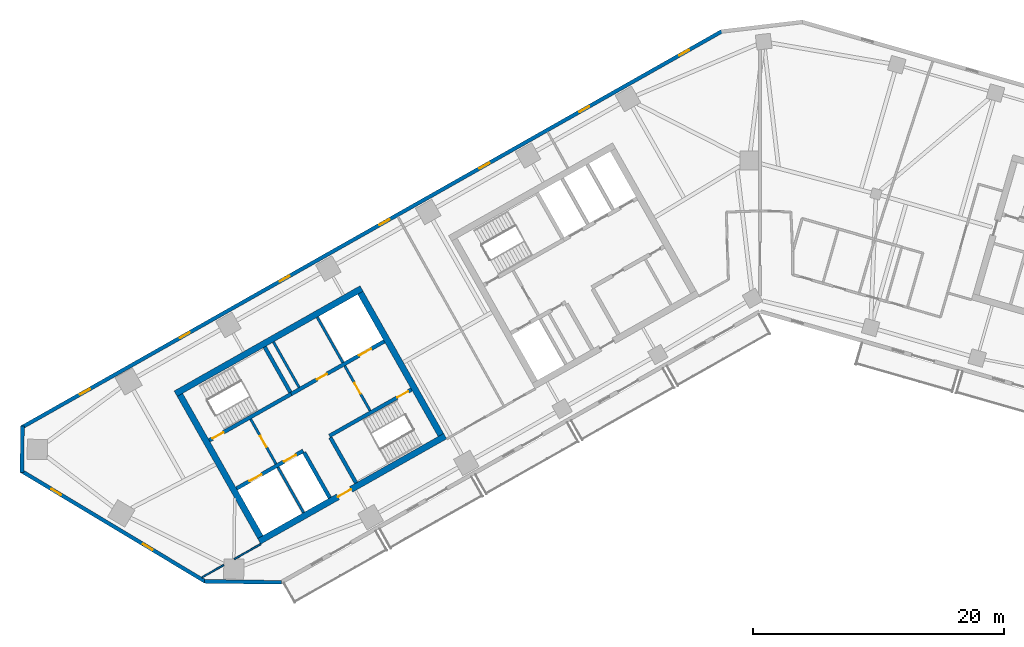
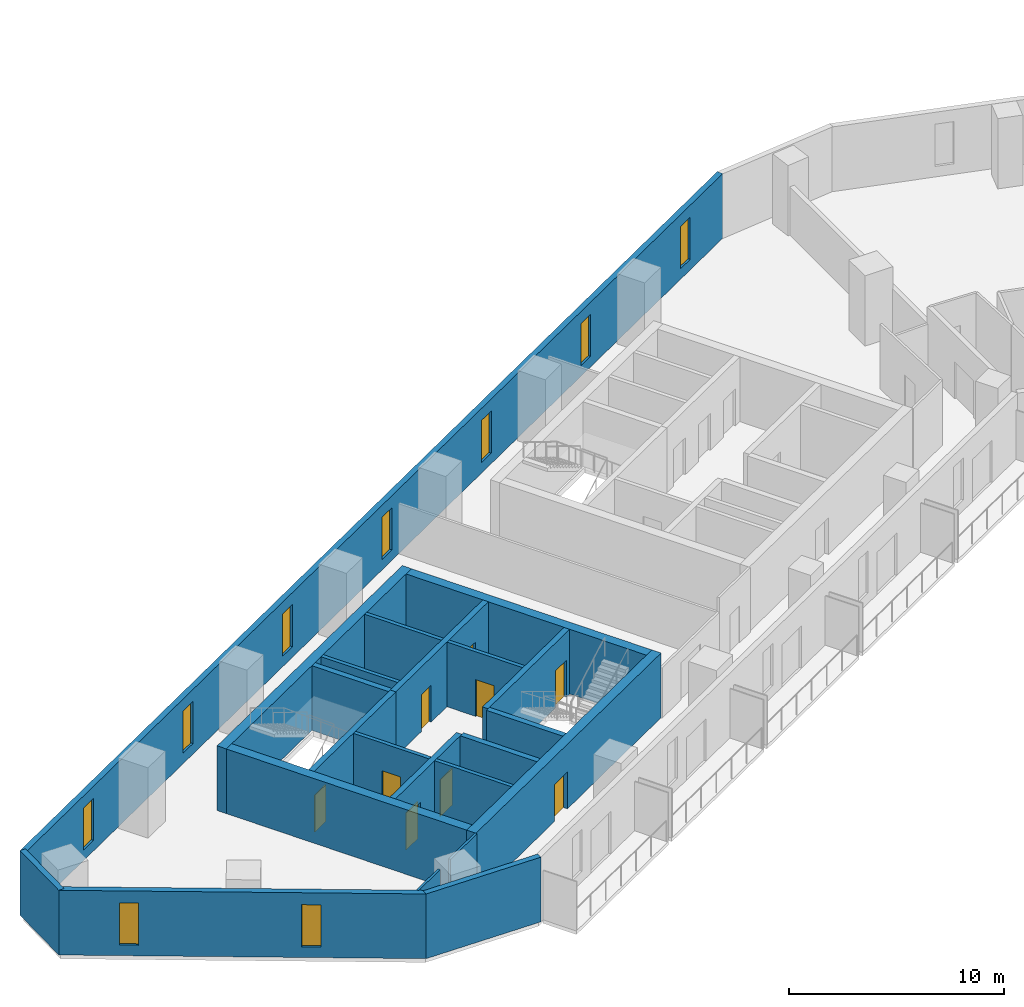
# One storey, part 3 of 9: 22 walls, 9 doors, 9 windows, 18 openings.
"""IFC4 building model written with IfcOpenShell, lengths in metres."""

import ifcopenshell
import ifcopenshell.guid

model = None  # the IFC model being written
_history = None  # IfcOwnerHistory: only IFC2X3 demands one
_inside = {}  # id of a spatial element -> (the spatial element, [elements in it])
_under = {}  # id of a project, library or spatial element -> (it, [spatial elements below it])
_declared = {}  # id of a project -> (the project, [libraries it declares])
_typed = {}  # id of a type object -> (the type object, [elements of that type])
_made_of = {}  # id of a material, layer set ... -> (it, [elements and type objects made of it])


def new_model(schema):
    """Start an empty IFC model of exactly this schema.

    Asked for "IFC4X3", IfcOpenShell would pick the latest addendum, in which some entities
    have other attributes; the version numbers below select the first issue.
    IFC2X3 requires an IfcOwnerHistory on every rooted entity: one is made here for all.
    """
    global model, _history
    if schema == "IFC4X3":
        model = ifcopenshell.file(schema_version=(4, 3, 0, 0))
    else:
        model = ifcopenshell.file(schema=schema)
    _inside.clear()
    _under.clear()
    _declared.clear()
    _typed.clear()
    _made_of.clear()
    _history = None
    if model.schema == "IFC2X3":
        org = make("IfcOrganization", Name="unknown")
        user = make(
            "IfcPersonAndOrganization",
            ThePerson=make("IfcPerson", FamilyName="unknown"),
            TheOrganization=org,
        )
        app = make(
            "IfcApplication",
            ApplicationDeveloper=org,
            Version="unknown",
            ApplicationFullName="unknown",
            ApplicationIdentifier="unknown",
        )
        _history = make(
            "IfcOwnerHistory",
            OwningUser=user,
            OwningApplication=app,
            ChangeAction="ADDED",
            CreationDate=0,
        )
    return model


def make(cls, **values):
    """One entity of the class cls with the attributes given. An attribute that is None is left unset."""
    return model.create_entity(
        cls, **{name: value for name, value in values.items() if value is not None}
    )


def rooted(cls, **values):
    """An entity with a GlobalId (a new one), such as an element, a storey or a relation."""
    return make(cls, GlobalId=ifcopenshell.guid.new(), OwnerHistory=_history, **values)


def si_unit(unit_type, name, prefix=None):
    """IfcSIUnit, for example si_unit("LENGTHUNIT", "METRE", prefix="MILLI")."""
    return make("IfcSIUnit", UnitType=unit_type, Prefix=prefix, Name=name)


def assignment(units):
    """IfcUnitAssignment: the units of a project."""
    return None if units is None else make("IfcUnitAssignment", Units=units)


def point(xyz):
    """IfcCartesianPoint."""
    return None if xyz is None else make("IfcCartesianPoint", Coordinates=xyz)


def direction(xyz):
    """IfcDirection."""
    return None if xyz is None else make("IfcDirection", DirectionRatios=xyz)


def frame(location, z_axis=None, x_axis=None):
    """IfcAxis2Placement3D, a coordinate frame: its origin and axes. An axis left out is left unset."""
    return make(
        "IfcAxis2Placement3D",
        Location=point(location),
        Axis=direction(z_axis),
        RefDirection=direction(x_axis),
    )


def frame_2d(location, x_axis=None):
    """IfcAxis2Placement2D, a coordinate frame in the plane: its origin and x axis."""
    return make(
        "IfcAxis2Placement2D", Location=point(location), RefDirection=direction(x_axis)
    )


def origin():
    """The frame at (0, 0, 0) with its axes left unset."""
    return frame((0.0, 0.0, 0.0))


def place(relative_to, where):
    """IfcLocalPlacement: puts the frame where relative to a parent placement (None: the world)."""
    return make(
        "IfcLocalPlacement", PlacementRelTo=relative_to, RelativePlacement=where
    )


def context(
    kind, dimensions, precision=None, world=None, true_north=None, identifier=None
):
    """IfcGeometricRepresentationContext, for example the 3D "Model" context."""
    return make(
        "IfcGeometricRepresentationContext",
        ContextIdentifier=identifier,
        ContextType=kind,
        CoordinateSpaceDimension=dimensions,
        Precision=precision,
        WorldCoordinateSystem=world,
        TrueNorth=true_north,
    )


def subcontext(parent, identifier, kind, view, scale=None):
    """IfcGeometricRepresentationSubContext, for example "Body" below "Model"."""
    return make(
        "IfcGeometricRepresentationSubContext",
        ContextIdentifier=identifier,
        ContextType=kind,
        ParentContext=parent,
        TargetScale=scale,
        TargetView=view,
    )


def project(units=None, contexts=None):
    """IfcProject with its units and contexts."""
    return rooted(
        "IfcProject",
        Name="project",
        RepresentationContexts=contexts,
        UnitsInContext=assignment(units),
    )


def spatial(cls, under=None, at=None, **own):
    """A site, building, storey or space (cls), placed at a placement, below another one or the project."""
    s = rooted(cls, ObjectPlacement=at, **own)
    if under is not None:
        _under.setdefault(under.id(), (under, []))[1].append(s)
    return s


def profile(cls, at=None, kind="AREA", **sizes):
    """A parametric profile (cls). Its sizes go by their IFC names, for example OverallWidth=200.0."""
    return make(cls, ProfileType=kind, Position=at, **sizes)


def rectangle(**sizes):
    """IfcRectangleProfileDef."""
    return profile("IfcRectangleProfileDef", **sizes)


def extrude(swept, where, along, depth):
    """IfcExtrudedAreaSolid: the profile swept, set in the frame where, extruded along a direction by depth."""
    return make(
        "IfcExtrudedAreaSolid",
        SweptArea=swept,
        Position=where,
        ExtrudedDirection=direction(along),
        Depth=depth,
    )


def shape(context_of_items, identifier, shape_type, items):
    """IfcShapeRepresentation: the items that make up one representation, for example the "Body"."""
    return make(
        "IfcShapeRepresentation",
        ContextOfItems=context_of_items,
        RepresentationIdentifier=identifier,
        RepresentationType=shape_type,
        Items=items,
    )


def material(Name=None, Category=None):
    """IfcMaterial."""
    return make("IfcMaterial", Name=Name, Category=Category)


def layer(
    of_material, thickness, ventilated=None, Name=None, Category=None, Priority=None
):
    """IfcMaterialLayer: one layer of a wall or slab, of a material (None: an air gap)."""
    return make(
        "IfcMaterialLayer",
        Material=of_material,
        LayerThickness=thickness,
        IsVentilated=ventilated,
        Name=Name,
        Category=Category,
        Priority=Priority,
    )


def layer_set(layers, Name=None):
    """IfcMaterialLayerSet."""
    return make("IfcMaterialLayerSet", MaterialLayers=layers, LayerSetName=Name)


def made_of(thing, what):
    """Note that an element or type object is made of a material, layer set ...; save() writes the relation."""
    if what is not None:
        _made_of.setdefault(what.id(), (what, []))[1].append(thing)
    return thing


def type_object(cls, material=None, **own):
    """A type object (cls), such as IfcWallType, which elements share."""
    return made_of(rooted(cls, **own), material)


def element(
    cls,
    number,
    at=None,
    inside=None,
    cuts=None,
    type_object=None,
    material=None,
    context=None,
    identifier="Body",
    shape_type=None,
    held_by="IfcProductDefinitionShape",
    body=None,
    shapes=None,
    **own,
):
    """One element of the class cls, such as IfcWall. Its Tag is "e" and its number.

    at: its placement. inside: the storey or other place that contains it. cuts: it is an
    opening in that element (IfcRelVoidsElement). A single representation is given by context,
    identifier, shape_type and body (its items); several are given by shapes. held_by: the class
    of the entity that holds the representations. save() writes the other relations.
    """
    e = rooted(cls, Tag="e%d" % number, ObjectPlacement=at, **own)
    if body is not None:
        shapes = [shape(context, identifier, shape_type, body)]
    if shapes is not None:
        e.Representation = make(held_by, Representations=shapes)
    if inside is not None:
        _inside.setdefault(inside.id(), (inside, []))[1].append(e)
    if cuts is not None:
        rooted(
            "IfcRelVoidsElement", RelatingBuildingElement=cuts, RelatedOpeningElement=e
        )
    if type_object is not None:
        _typed.setdefault(type_object.id(), (type_object, []))[1].append(e)
    return made_of(e, material)


def fill(opening, filler):
    """IfcRelFillsElement: the door or window that sits in an opening."""
    return rooted(
        "IfcRelFillsElement",
        RelatingOpeningElement=opening,
        RelatedBuildingElement=filler,
    )


def aggregate(whole, parts):
    """IfcRelAggregates: a whole, such as a stair, and the parts it consists of."""
    return rooted("IfcRelAggregates", RelatingObject=whole, RelatedObjects=parts)


def save(model, path):
    """Write the relations noted so far, then the file.

    IfcRelAggregates (storeys below a building ...), IfcRelContainedInSpatialStructure (elements
    in a storey), IfcRelDefinesByType, IfcRelAssociatesMaterial and IfcRelDeclares: one each for
    every whole, place, type object, material and project.
    """
    for whole, parts in _under.values():
        aggregate(whole, parts)
    for where, things in _inside.values():
        rooted(
            "IfcRelContainedInSpatialStructure",
            RelatedElements=things,
            RelatingStructure=where,
        )
    for kind, things in _typed.values():
        rooted("IfcRelDefinesByType", RelatedObjects=things, RelatingType=kind)
    for what, things in _made_of.values():
        rooted("IfcRelAssociatesMaterial", RelatedObjects=things, RelatingMaterial=what)
    for by, libraries in _declared.values():
        rooted("IfcRelDeclares", RelatingContext=by, RelatedDefinitions=libraries)
    model.write(path)


model = new_model("IFC4")

# Units and contexts
model_context = context("Model", 3, precision=1e-05, world=origin(), true_north=direction((0.0, 1.0)))
body_context = subcontext(model_context, "Body", "Model", "MODEL_VIEW")
ifc_project = project(units=[si_unit("LENGTHUNIT", "METRE"), si_unit("AREAUNIT", "SQUARE_METRE"), si_unit("VOLUMEUNIT", "CUBIC_METRE"), si_unit("PLANEANGLEUNIT", "RADIAN"), si_unit("MASSUNIT", "GRAM", prefix="KILO")], contexts=[model_context])

# Site, building, storey
site_placement = place(None, origin())
site = spatial("IfcSite", under=ifc_project, at=site_placement, CompositionType="ELEMENT")
building_placement = place(site_placement, origin())
building = spatial("IfcBuilding", under=site, at=building_placement, Name="Binnacle Exchange Tower", CompositionType="ELEMENT")
storey_placement = place(building_placement, frame((0.0, 0.0, 182.89990234375)))
storey = spatial("IfcBuildingStorey", under=building, at=storey_placement, Name="L39", CompositionType="ELEMENT", Elevation=182.89990234375)

# Wall, openings, doors
ifc_material_1 = material(Name="Concrete C70/85", Category="concrete")
ifc_layer_1 = layer(ifc_material_1, 0.300048828125)
ifc_layer_set_1 = layer_set([ifc_layer_1], Name="Core wall - front 300")
wall_type_1 = type_object("IfcWallType", Name="Core wall - front 300", PredefinedType="SOLIDWALL", material=ifc_layer_set_1)
wall_1_placement = place(storey_placement, frame((-41.64306640625, 33.91162109375, 0.0), z_axis=(0.0, 0.0, 1.0), x_axis=(0.870343599782, 0.492444939378, 0.0)))
wall_1 = element("IfcWall", 1, at=wall_1_placement, inside=storey, type_object=wall_type_1, Name="Core wall CRWA2", PredefinedType="SOLIDWALL", context=body_context, shape_type="SweptSolid", body=[
    extrude(rectangle(XDim=6.10009765625, YDim=0.300048828125, at=frame_2d((3.050048828125, 0.0))), origin(), (0.0, 0.0, 1.0), 3.68017578125),
])
opening_1_placement = place(wall_1_placement, frame((1.199951171875, 0.0, 0.0)))
opening_1 = element("IfcOpeningElement", 2, at=opening_1_placement, cuts=wall_1, Name="Opening LD12", PredefinedType="OPENING", context=body_context, shape_type="SweptSolid", body=[
    extrude(rectangle(XDim=1.10009765625, YDim=2.10009765625, at=frame_2d((0.550048828125, 1.050048828125))), frame((0.0, 0.159912109375, 0.0), z_axis=(0.0, -1.0, 0.0), x_axis=(1.0, 0.0, 0.0)), (0.0, 0.0, 1.0), 0.320068359375),
])
opening_2_placement = place(wall_1_placement, frame((4.35009765625, 0.0, 0.0)))
opening_2 = element("IfcOpeningElement", 3, at=opening_2_placement, cuts=wall_1, Name="Opening LD8", PredefinedType="OPENING", context=body_context, shape_type="SweptSolid", body=[
    extrude(rectangle(XDim=1.10009765625, YDim=2.10009765625, at=frame_2d((0.550048828125, 1.050048828125))), frame((0.0, 0.159912109375, 0.0), z_axis=(0.0, -1.0, 0.0), x_axis=(1.0, 0.0, 0.0)), (0.0, 0.0, 1.0), 0.320068359375),
])
ifc_material_2 = material(Name="Steel door leaf", Category="steel")
door_type_1 = type_object("IfcDoorType", Name="Fire door - lift landing 1100", OperationType="NOTDEFINED", PredefinedType="DOOR", material=ifc_material_2)
door_1_placement = place(opening_1_placement, origin())
door_1 = element("IfcDoor", 4, at=door_1_placement, inside=storey, type_object=door_type_1, Name="Landing door LD12 L39", OperationType="DOUBLE_DOOR_SLIDING", OverallHeight=2.10009765625, OverallWidth=1.10009765625, PredefinedType="DOOR", context=body_context, shape_type="SweptSolid", body=[
    extrude(rectangle(XDim=1.10009765625, YDim=2.10009765625, at=frame_2d((0.550048828125, 1.050048828125))), frame((0.0, 0.02490234375, 0.0), z_axis=(0.0, -1.0, 0.0), x_axis=(1.0, 0.0, 0.0)), (0.0, 0.0, 1.0), 0.050048828125),
])
fill(opening_1, door_1)
door_2_placement = place(opening_2_placement, origin())
door_2 = element("IfcDoor", 5, at=door_2_placement, inside=storey, type_object=door_type_1, Name="Landing door LD8 L39", OperationType="DOUBLE_DOOR_SLIDING", OverallHeight=2.10009765625, OverallWidth=1.10009765625, PredefinedType="DOOR", context=body_context, shape_type="SweptSolid", body=[
    extrude(rectangle(XDim=1.10009765625, YDim=2.10009765625, at=frame_2d((0.550048828125, 1.050048828125))), frame((0.0, 0.02490234375, 0.0), z_axis=(0.0, -1.0, 0.0), x_axis=(1.0, 0.0, 0.0)), (0.0, 0.0, 1.0), 0.050048828125),
])
fill(opening_2, door_2)

wall_2_placement = place(storey_placement, frame((-37.281982421875, 41.4345703125, 0.0), z_axis=(0.0, 0.0, 1.0), x_axis=(0.870356271124, 0.492422543467, 0.0)))
wall_2 = element("IfcWall", 6, at=wall_2_placement, inside=storey, type_object=wall_type_1, Name="Core wall CRWA5", PredefinedType="SOLIDWALL", context=body_context, shape_type="SweptSolid", body=[
    extrude(rectangle(XDim=8.5, YDim=0.300048828125, at=frame_2d((4.25, 0.0))), origin(), (0.0, 0.0, 1.0), 3.68017578125),
])
opening_3_placement = place(wall_2_placement, frame((6.199951171875, 0.0, 0.0)))
opening_3 = element("IfcOpeningElement", 7, at=opening_3_placement, cuts=wall_2, Name="Opening LD13", PredefinedType="OPENING", context=body_context, shape_type="SweptSolid", body=[
    extrude(rectangle(XDim=1.10009765625, YDim=2.10009765625, at=frame_2d((0.550048828125, 1.050048828125))), frame((0.0, 0.159912109375, 0.0), z_axis=(0.0, -1.0, 0.0), x_axis=(1.0, 0.0, 0.0)), (0.0, 0.0, 1.0), 0.320068359375),
])
opening_4_placement = place(wall_2_placement, frame((2.35009765625, 0.0, 0.0)))
opening_4 = element("IfcOpeningElement", 8, at=opening_4_placement, cuts=wall_2, Name="Opening DA10", PredefinedType="OPENING", context=body_context, shape_type="SweptSolid", body=[
    extrude(rectangle(XDim=0.89990234375, YDim=2.10009765625, at=frame_2d((0.449951171875, 1.050048828125))), frame((0.0, 0.159912109375, 0.0), z_axis=(0.0, -1.0, 0.0), x_axis=(1.0, 0.0, 0.0)), (0.0, 0.0, 1.0), 0.320068359375),
])
door_3_placement = place(opening_3_placement, origin())
door_3 = element("IfcDoor", 9, at=door_3_placement, inside=storey, type_object=door_type_1, Name="Landing door LD13 L39", OperationType="DOUBLE_DOOR_SLIDING", OverallHeight=2.10009765625, OverallWidth=1.10009765625, PredefinedType="DOOR", context=body_context, shape_type="SweptSolid", body=[
    extrude(rectangle(XDim=1.10009765625, YDim=2.10009765625, at=frame_2d((0.550048828125, 1.050048828125))), frame((0.0, 0.02490234375, 0.0), z_axis=(0.0, -1.0, 0.0), x_axis=(1.0, 0.0, 0.0)), (0.0, 0.0, 1.0), 0.050048828125),
])
fill(opening_3, door_3)
door_type_2 = type_object("IfcDoorType", Name="Fire door 900", OperationType="NOTDEFINED", PredefinedType="DOOR", material=ifc_material_2)
door_4_placement = place(opening_4_placement, origin())
door_4 = element("IfcDoor", 10, at=door_4_placement, inside=storey, type_object=door_type_2, Name="Core room door TELECOM RISER ROOM", OperationType="SINGLE_SWING_LEFT", OverallHeight=2.10009765625, OverallWidth=0.89990234375, PredefinedType="DOOR", context=body_context, shape_type="SweptSolid", body=[
    extrude(rectangle(XDim=0.89990234375, YDim=2.10009765625, at=frame_2d((0.449951171875, 1.050048828125))), frame((0.0, 0.02490234375, 0.0), z_axis=(0.0, -1.0, 0.0), x_axis=(1.0, 0.0, 0.0)), (0.0, 0.0, 1.0), 0.050048828125),
])
fill(opening_4, door_4)

# Wall
wall_3_placement = place(storey_placement, frame((-36.260009765625, 36.784912109375, 0.0), z_axis=(0.0, 0.0, 1.0), x_axis=(0.492421666909, -0.870356767055, 0.0)))
element("IfcWall", 11, at=wall_3_placement, inside=storey, type_object=wall_type_1, Name="Core wall CRWA13", PredefinedType="SOLIDWALL", context=body_context, shape_type="SweptSolid", body=[
    extrude(rectangle(XDim=4.14990234375, YDim=0.300048828125, at=frame_2d((2.074951171875, 0.0))), origin(), (0.0, 0.0, 1.0), 3.68017578125),
])

# Wall, opening, door
ifc_layer_2 = layer(ifc_material_1, 0.5)
ifc_layer_set_2 = layer_set([ifc_layer_2], Name="Core wall - outer 500")
wall_type_2 = type_object("IfcWallType", Name="Core wall - outer 500", PredefinedType="SOLIDWALL", material=ifc_layer_set_2)
wall_4_placement = place(storey_placement, frame((-39.837646484375, 29.705322265625, 0.0), z_axis=(0.0, 0.0, 1.0), x_axis=(0.870350116061, 0.492433422375, 0.0)))
wall_4 = element("IfcWall", 12, at=wall_4_placement, inside=storey, type_object=wall_type_2, Name="Core wall CRWA1", PredefinedType="SOLIDWALL", context=body_context, shape_type="SweptSolid", body=[
    extrude(rectangle(XDim=17.0, YDim=0.5, at=frame_2d((8.5, 0.0))), origin(), (0.0, 0.0, 1.0), 3.68017578125),
])
opening_5_placement = place(wall_4_placement, frame((7.199951171875, 0.0, 0.0)))
opening_5 = element("IfcOpeningElement", 13, at=opening_5_placement, cuts=wall_4, Name="Opening DA7", PredefinedType="OPENING", context=body_context, shape_type="SweptSolid", body=[
    extrude(rectangle(XDim=1.199951171875, YDim=2.10009765625, at=frame_2d((0.60009765625, 1.050048828125))), frame((0.0, 0.260009765625, 0.0), z_axis=(0.0, -1.0, 0.0), x_axis=(1.0, 0.0, 0.0)), (0.0, 0.0, 1.0), 0.52001953125),
])
door_type_3 = type_object("IfcDoorType", Name="Fire door 1200", OperationType="NOTDEFINED", PredefinedType="DOOR", material=ifc_material_2)
door_5_placement = place(opening_5_placement, frame((1.199951171875, 0.0, 0.0), z_axis=(0.0, 0.0, 1.0), x_axis=(-1.0, 0.0, 0.0)))
door_5 = element("IfcDoor", 14, at=door_5_placement, inside=storey, type_object=door_type_3, Name="Lift lobby entrance door core A", OperationType="SINGLE_SWING_RIGHT", OverallHeight=2.10009765625, OverallWidth=1.199951171875, PredefinedType="DOOR", context=body_context, shape_type="SweptSolid", body=[
    extrude(rectangle(XDim=1.199951171875, YDim=2.10009765625, at=frame_2d((0.60009765625, 1.050048828125))), frame((0.0, 0.02490234375, 0.0), z_axis=(0.0, -1.0, 0.0), x_axis=(1.0, 0.0, 0.0)), (0.0, 0.0, 1.0), 0.050048828125),
])
fill(opening_5, door_5)

# Walls
wall_5_placement = place(storey_placement, frame((-46.485595703125, 41.455078125, 0.0), z_axis=(0.0, 0.0, 1.0), x_axis=(0.870353598469, 0.492427267353, 0.0)))
element("IfcWall", 15, at=wall_5_placement, inside=storey, type_object=wall_type_2, Name="Core wall CRWA6", PredefinedType="SOLIDWALL", context=body_context, shape_type="SweptSolid", body=[
    extrude(rectangle(XDim=17.000244140625, YDim=0.5, at=frame_2d((8.5, 0.0))), origin(), (0.0, 0.0, 1.0), 3.68017578125),
])
for number, where, z_axis, x_axis, name in (
    (16, (-46.144775390625, 41.360595703125, 0.0), (0.0, 0.0, 1.0), (0.492435316254, -0.870349044525, 0.0), "Core wall CRWA7"),
    (17, (-31.783935546875, 49.485595703125, 0.0), (0.0, 0.0, 1.0), (0.492435316254, -0.870349044525, 0.0), "Core wall CRWA22"),
):
    element("IfcWall", number, at=place(storey_placement, frame(where, z_axis=z_axis, x_axis=x_axis)), inside=storey, type_object=wall_type_2, Name=name, PredefinedType="SOLIDWALL", context=body_context, shape_type="SweptSolid", body=[
        extrude(rectangle(XDim=13.0, YDim=0.5, at=frame_2d((6.5, 0.0))), origin(), (0.0, 0.0, 1.0), 3.68017578125),
    ])

# Wall, opening, door
ifc_layer_3 = layer(ifc_material_1, 0.300048828125)
ifc_layer_set_3 = layer_set([ifc_layer_3], Name="Core wall - stair 300")
wall_type_3 = type_object("IfcWallType", Name="Core wall - stair 300", PredefinedType="SOLIDWALL", material=ifc_layer_set_3)
wall_6_placement = place(storey_placement, frame((-34.2451171875, 38.097412109375, 0.0), z_axis=(0.0, 0.0, 1.0), x_axis=(0.870364520461, 0.492407962489, 0.0)))
wall_6 = element("IfcWall", 18, at=wall_6_placement, inside=storey, type_object=wall_type_3, Name="Core wall CRWA3", PredefinedType="SOLIDWALL", context=body_context, shape_type="SweptSolid", body=[
    extrude(rectangle(XDim=7.5, YDim=0.300048828125, at=frame_2d((3.75, 0.0))), origin(), (0.0, 0.0, 1.0), 3.68017578125),
])
opening_6_placement = place(wall_6_placement, frame((6.199951171875, 0.0, 0.0)))
opening_6 = element("IfcOpeningElement", 19, at=opening_6_placement, cuts=wall_6, Name="Opening DA2", PredefinedType="OPENING", context=body_context, shape_type="SweptSolid", body=[
    extrude(rectangle(XDim=1.0, YDim=2.10009765625, at=frame_2d((0.5, 1.050048828125))), frame((0.0, 0.159912109375, 0.0), z_axis=(0.0, -1.0, 0.0), x_axis=(1.0, 0.0, 0.0)), (0.0, 0.0, 1.0), 0.320068359375),
])
door_type_4 = type_object("IfcDoorType", Name="Fire door 1000", OperationType="NOTDEFINED", PredefinedType="DOOR", material=ifc_material_2)
door_6_placement = place(opening_6_placement, frame((1.0, 0.0, 0.0), z_axis=(0.0, 0.0, 1.0), x_axis=(-1.0, 0.0, 0.0)))
door_6 = element("IfcDoor", 20, at=door_6_placement, inside=storey, type_object=door_type_4, Name="Stair door ST-A2", OperationType="SINGLE_SWING_LEFT", OverallHeight=2.10009765625, OverallWidth=1.0, PredefinedType="DOOR", context=body_context, shape_type="SweptSolid", body=[
    extrude(rectangle(XDim=1.0, YDim=2.10009765625, at=frame_2d((0.5, 1.050048828125))), frame((0.0, 0.02490234375, 0.0), z_axis=(0.0, -1.0, 0.0), x_axis=(1.0, 0.0, 0.0)), (0.0, 0.0, 1.0), 0.050048828125),
])
fill(opening_6, door_6)

wall_7_placement = place(storey_placement, frame((-43.809814453125, 37.7412109375, 0.0), z_axis=(0.0, 0.0, 1.0), x_axis=(0.870350569555, 0.492432620848, 0.0)))
wall_7 = element("IfcWall", 21, at=wall_7_placement, inside=storey, type_object=wall_type_3, Name="Core wall CRWA4", PredefinedType="SOLIDWALL", context=body_context, shape_type="SweptSolid", body=[
    extrude(rectangle(XDim=7.500244140625, YDim=0.300048828125, at=frame_2d((3.75, 0.0))), origin(), (0.0, 0.0, 1.0), 3.68017578125),
])
opening_7_placement = place(wall_7_placement, frame((0.2998046875, 0.0, 0.0)))
opening_7 = element("IfcOpeningElement", 22, at=opening_7_placement, cuts=wall_7, Name="Opening DA1", PredefinedType="OPENING", context=body_context, shape_type="SweptSolid", body=[
    extrude(rectangle(XDim=1.0, YDim=2.10009765625, at=frame_2d((0.5, 1.050048828125))), frame((0.0, 0.159912109375, 0.0), z_axis=(0.0, -1.0, 0.0), x_axis=(1.0, 0.0, 0.0)), (0.0, 0.0, 1.0), 0.320068359375),
])
door_7_placement = place(opening_7_placement, origin())
door_7 = element("IfcDoor", 23, at=door_7_placement, inside=storey, type_object=door_type_4, Name="Stair door ST-A1", OperationType="SINGLE_SWING_LEFT", OverallHeight=2.10009765625, OverallWidth=1.0, PredefinedType="DOOR", context=body_context, shape_type="SweptSolid", body=[
    extrude(rectangle(XDim=1.0, YDim=2.10009765625, at=frame_2d((0.5, 1.050048828125))), frame((0.0, 0.02490234375, 0.0), z_axis=(0.0, -1.0, 0.0), x_axis=(1.0, 0.0, 0.0)), (0.0, 0.0, 1.0), 0.050048828125),
])
fill(opening_7, door_7)

# Walls
for number, where, z_axis, x_axis, name in (
    (24, (-39.3994140625, 45.177001953125, 0.0), (0.0, 0.0, 1.0), (0.492396453737, -0.870371031427, 0.0), "Core wall CRWA14"),
    (25, (-34.171142578125, 37.966796875, 0.0), (0.0, 0.0, 1.0), (0.492396453737, -0.870371031427, 0.0), "Core wall CRWA16"),
):
    element("IfcWall", number, at=place(storey_placement, frame(where, z_axis=z_axis, x_axis=x_axis)), inside=storey, type_object=wall_type_3, Name=name, PredefinedType="SOLIDWALL", context=body_context, shape_type="SweptSolid", body=[
        extrude(rectangle(XDim=4.14990234375, YDim=0.300048828125, at=frame_2d((2.074951171875, 0.0))), origin(), (0.0, 0.0, 1.0), 3.68017578125),
    ])
ifc_material_3 = material(Name="Bronze aluminium cladding", Category="aluminium")
ifc_layer_4 = layer(ifc_material_3, 0.300048828125)
ifc_layer_set_4 = layer_set([ifc_layer_4], Name="External wall - spandrel 300")
wall_type_4 = type_object("IfcWallType", Name="External wall - spandrel 300", PredefinedType="STANDARD", material=ifc_layer_set_4)
wall_8_placement = place(storey_placement, frame((-38.057373046875, 26.44482421875, 0.0), z_axis=(0.0, 0.0, 1.0), x_axis=(-0.999914086342, 0.013108010296, 0.0)))
element("IfcWall", 26, at=wall_8_placement, inside=storey, type_object=wall_type_4, Name="External wall EW-G00 L39", PredefinedType="STANDARD", context=body_context, shape_type="SweptSolid", body=[
    extrude(rectangle(XDim=6.127685546875, YDim=0.300048828125, at=frame_2d((3.06396484375, 0.0))), origin(), (0.0, 0.0, 1.0), 3.68017578125),
])

# Wall, openings, windows
wall_9_placement = place(storey_placement, frame((-58.744873046875, 38.763671875, 0.0), z_axis=(0.0, 0.0, 1.0), x_axis=(0.870355811726, 0.492423355453, 0.0)))
wall_9 = element("IfcWall", 27, at=wall_9_placement, inside=storey, type_object=wall_type_4, Name="External wall EW-G08 L39", PredefinedType="STANDARD", context=body_context, shape_type="SweptSolid", body=[
    extrude(rectangle(XDim=64.025390625, YDim=0.300048828125, at=frame_2d((32.0126953125, 0.0))), origin(), (0.0, 0.0, 1.0), 3.68017578125),
])
opening_8_placement = place(wall_9_placement, frame((60.12158203125, 0.0, 0.60009765625)))
opening_8 = element("IfcOpeningElement", 28, at=opening_8_placement, cuts=wall_9, Name="Opening WS3", PredefinedType="OPENING", context=body_context, shape_type="SweptSolid", body=[
    extrude(rectangle(XDim=0.89990234375, YDim=2.39990234375, at=frame_2d((0.449951171875, 1.199951171875))), frame((0.0, 0.159912109375, 0.0), z_axis=(0.0, -1.0, 0.0), x_axis=(1.0, 0.0, 0.0)), (0.0, 0.0, 1.0), 0.320068359375),
])
opening_9_placement = place(wall_9_placement, frame((50.99169921875, 0.0, 0.60009765625)))
opening_9 = element("IfcOpeningElement", 29, at=opening_9_placement, cuts=wall_9, Name="Opening WS3", PredefinedType="OPENING", context=body_context, shape_type="SweptSolid", body=[
    extrude(rectangle(XDim=0.89990234375, YDim=2.39990234375, at=frame_2d((0.449951171875, 1.199951171875))), frame((0.0, 0.159912109375, 0.0), z_axis=(0.0, -1.0, 0.0), x_axis=(1.0, 0.0, 0.0)), (0.0, 0.0, 1.0), 0.320068359375),
])
opening_10_placement = place(wall_9_placement, frame((41.86181640625, 0.0, 0.60009765625)))
opening_10 = element("IfcOpeningElement", 30, at=opening_10_placement, cuts=wall_9, Name="Opening WS3", PredefinedType="OPENING", context=body_context, shape_type="SweptSolid", body=[
    extrude(rectangle(XDim=0.89990234375, YDim=2.39990234375, at=frame_2d((0.449951171875, 1.199951171875))), frame((0.0, 0.159912109375, 0.0), z_axis=(0.0, -1.0, 0.0), x_axis=(1.0, 0.0, 0.0)), (0.0, 0.0, 1.0), 0.320068359375),
])
opening_11_placement = place(wall_9_placement, frame((32.73193359375, 0.0, 0.60009765625)))
opening_11 = element("IfcOpeningElement", 31, at=opening_11_placement, cuts=wall_9, Name="Opening WS3", PredefinedType="OPENING", context=body_context, shape_type="SweptSolid", body=[
    extrude(rectangle(XDim=0.89990234375, YDim=2.39990234375, at=frame_2d((0.449951171875, 1.199951171875))), frame((0.0, 0.159912109375, 0.0), z_axis=(0.0, -1.0, 0.0), x_axis=(1.0, 0.0, 0.0)), (0.0, 0.0, 1.0), 0.320068359375),
])
opening_12_placement = place(wall_9_placement, frame((23.60205078125, 0.0, 0.60009765625)))
opening_12 = element("IfcOpeningElement", 32, at=opening_12_placement, cuts=wall_9, Name="Opening WS3", PredefinedType="OPENING", context=body_context, shape_type="SweptSolid", body=[
    extrude(rectangle(XDim=0.89990234375, YDim=2.39990234375, at=frame_2d((0.449951171875, 1.199951171875))), frame((0.0, 0.159912109375, 0.0), z_axis=(0.0, -1.0, 0.0), x_axis=(1.0, 0.0, 0.0)), (0.0, 0.0, 1.0), 0.320068359375),
])
opening_13_placement = place(wall_9_placement, frame((14.47216796875, 0.0, 0.60009765625)))
opening_13 = element("IfcOpeningElement", 33, at=opening_13_placement, cuts=wall_9, Name="Opening WS3", PredefinedType="OPENING", context=body_context, shape_type="SweptSolid", body=[
    extrude(rectangle(XDim=0.89990234375, YDim=2.39990234375, at=frame_2d((0.449951171875, 1.199951171875))), frame((0.0, 0.159912109375, 0.0), z_axis=(0.0, -1.0, 0.0), x_axis=(1.0, 0.0, 0.0)), (0.0, 0.0, 1.0), 0.320068359375),
])
opening_14_placement = place(wall_9_placement, frame((5.34228515625, 0.0, 0.60009765625)))
opening_14 = element("IfcOpeningElement", 34, at=opening_14_placement, cuts=wall_9, Name="Opening WS3", PredefinedType="OPENING", context=body_context, shape_type="SweptSolid", body=[
    extrude(rectangle(XDim=0.89990234375, YDim=2.39990234375, at=frame_2d((0.449951171875, 1.199951171875))), frame((0.0, 0.159912109375, 0.0), z_axis=(0.0, -1.0, 0.0), x_axis=(1.0, 0.0, 0.0)), (0.0, 0.0, 1.0), 0.320068359375),
])
ifc_material_4 = material(Name="Bronze anodised aluminium frame", Category="aluminium")
window_type = type_object("IfcWindowType", Name="WS3 WINDOW 900x2400", PartitioningType="SINGLE_PANEL", PredefinedType="WINDOW", material=ifc_material_4)
window_1_placement = place(opening_8_placement, origin())
window_1 = element("IfcWindow", 35, at=window_1_placement, inside=storey, type_object=window_type, Name="Window WS3 L39", OverallHeight=2.39990234375, OverallWidth=0.89990234375, PartitioningType="SINGLE_PANEL", PredefinedType="WINDOW", context=body_context, shape_type="SweptSolid", body=[
    extrude(rectangle(XDim=0.89990234375, YDim=2.39990234375, at=frame_2d((0.449951171875, 1.199951171875))), frame((0.0, 0.030029296875, 0.0), z_axis=(0.0, -1.0, 0.0), x_axis=(1.0, 0.0, 0.0)), (0.0, 0.0, 1.0), 0.06005859375),
])
fill(opening_8, window_1)
window_2_placement = place(opening_9_placement, origin())
window_2 = element("IfcWindow", 36, at=window_2_placement, inside=storey, type_object=window_type, Name="Window WS3 L39", OverallHeight=2.39990234375, OverallWidth=0.89990234375, PartitioningType="SINGLE_PANEL", PredefinedType="WINDOW", context=body_context, shape_type="SweptSolid", body=[
    extrude(rectangle(XDim=0.89990234375, YDim=2.39990234375, at=frame_2d((0.449951171875, 1.199951171875))), frame((0.0, 0.030029296875, 0.0), z_axis=(0.0, -1.0, 0.0), x_axis=(1.0, 0.0, 0.0)), (0.0, 0.0, 1.0), 0.06005859375),
])
fill(opening_9, window_2)
window_3_placement = place(opening_10_placement, origin())
window_3 = element("IfcWindow", 37, at=window_3_placement, inside=storey, type_object=window_type, Name="Window WS3 L39", OverallHeight=2.39990234375, OverallWidth=0.89990234375, PartitioningType="SINGLE_PANEL", PredefinedType="WINDOW", context=body_context, shape_type="SweptSolid", body=[
    extrude(rectangle(XDim=0.89990234375, YDim=2.39990234375, at=frame_2d((0.449951171875, 1.199951171875))), frame((0.0, 0.030029296875, 0.0), z_axis=(0.0, -1.0, 0.0), x_axis=(1.0, 0.0, 0.0)), (0.0, 0.0, 1.0), 0.06005859375),
])
fill(opening_10, window_3)
window_4_placement = place(opening_11_placement, origin())
window_4 = element("IfcWindow", 38, at=window_4_placement, inside=storey, type_object=window_type, Name="Window WS3 L39", OverallHeight=2.39990234375, OverallWidth=0.89990234375, PartitioningType="SINGLE_PANEL", PredefinedType="WINDOW", context=body_context, shape_type="SweptSolid", body=[
    extrude(rectangle(XDim=0.89990234375, YDim=2.39990234375, at=frame_2d((0.449951171875, 1.199951171875))), frame((0.0, 0.030029296875, 0.0), z_axis=(0.0, -1.0, 0.0), x_axis=(1.0, 0.0, 0.0)), (0.0, 0.0, 1.0), 0.06005859375),
])
fill(opening_11, window_4)
window_5_placement = place(opening_12_placement, origin())
window_5 = element("IfcWindow", 39, at=window_5_placement, inside=storey, type_object=window_type, Name="Window WS3 L39", OverallHeight=2.39990234375, OverallWidth=0.89990234375, PartitioningType="SINGLE_PANEL", PredefinedType="WINDOW", context=body_context, shape_type="SweptSolid", body=[
    extrude(rectangle(XDim=0.89990234375, YDim=2.39990234375, at=frame_2d((0.449951171875, 1.199951171875))), frame((0.0, 0.030029296875, 0.0), z_axis=(0.0, -1.0, 0.0), x_axis=(1.0, 0.0, 0.0)), (0.0, 0.0, 1.0), 0.06005859375),
])
fill(opening_12, window_5)
window_6_placement = place(opening_13_placement, origin())
window_6 = element("IfcWindow", 40, at=window_6_placement, inside=storey, type_object=window_type, Name="Window WS3 L39", OverallHeight=2.39990234375, OverallWidth=0.89990234375, PartitioningType="SINGLE_PANEL", PredefinedType="WINDOW", context=body_context, shape_type="SweptSolid", body=[
    extrude(rectangle(XDim=0.89990234375, YDim=2.39990234375, at=frame_2d((0.449951171875, 1.199951171875))), frame((0.0, 0.030029296875, 0.0), z_axis=(0.0, -1.0, 0.0), x_axis=(1.0, 0.0, 0.0)), (0.0, 0.0, 1.0), 0.06005859375),
])
fill(opening_13, window_6)
window_7_placement = place(opening_14_placement, origin())
window_7 = element("IfcWindow", 41, at=window_7_placement, inside=storey, type_object=window_type, Name="Window WS3 L39", OverallHeight=2.39990234375, OverallWidth=0.89990234375, PartitioningType="SINGLE_PANEL", PredefinedType="WINDOW", context=body_context, shape_type="SweptSolid", body=[
    extrude(rectangle(XDim=0.89990234375, YDim=2.39990234375, at=frame_2d((0.449951171875, 1.199951171875))), frame((0.0, 0.030029296875, 0.0), z_axis=(0.0, -1.0, 0.0), x_axis=(1.0, 0.0, 0.0)), (0.0, 0.0, 1.0), 0.06005859375),
])
fill(opening_14, window_7)

# Wall
wall_10_placement = place(storey_placement, frame((-58.717041015625, 35.19384765625, 0.0), z_axis=(0.0, 0.0, 1.0), x_axis=(0.013069053407, 0.999914596275, 0.0)))
element("IfcWall", 42, at=wall_10_placement, inside=storey, type_object=wall_type_4, Name="External wall EW-G09 L39", PredefinedType="STANDARD", context=body_context, shape_type="SweptSolid", body=[
    extrude(rectangle(XDim=3.69873046875, YDim=0.300048828125, at=frame_2d((1.849365234375, 0.0))), origin(), (0.0, 0.0, 1.0), 3.68017578125),
])

# Wall, openings, windows
wall_11_placement = place(storey_placement, frame((-44.109375, 26.503662109375, 0.0), z_axis=(0.0, 0.0, 1.0), x_axis=(-0.857169502585, 0.515034410344, 0.0)))
wall_11 = element("IfcWall", 43, at=wall_11_placement, inside=storey, type_object=wall_type_4, Name="External wall EW-G10 L39", PredefinedType="STANDARD", context=body_context, shape_type="SweptSolid", body=[
    extrude(rectangle(XDim=17.126708984375, YDim=0.300048828125, at=frame_2d((8.5634765625, 0.0))), origin(), (0.0, 0.0, 1.0), 3.68017578125),
])
opening_15_placement = place(wall_11_placement, frame((13.403076171875, 0.0, 0.60009765625)))
opening_15 = element("IfcOpeningElement", 44, at=opening_15_placement, cuts=wall_11, Name="Opening WS3", PredefinedType="OPENING", context=body_context, shape_type="SweptSolid", body=[
    extrude(rectangle(XDim=0.89990234375, YDim=2.39990234375, at=frame_2d((0.449951171875, 1.199951171875))), frame((0.0, 0.159912109375, 0.0), z_axis=(0.0, -1.0, 0.0), x_axis=(1.0, 0.0, 0.0)), (0.0, 0.0, 1.0), 0.320068359375),
])
opening_16_placement = place(wall_11_placement, frame((4.903076171875, 0.0, 0.60009765625)))
opening_16 = element("IfcOpeningElement", 45, at=opening_16_placement, cuts=wall_11, Name="Opening WS3", PredefinedType="OPENING", context=body_context, shape_type="SweptSolid", body=[
    extrude(rectangle(XDim=0.89990234375, YDim=2.39990234375, at=frame_2d((0.449951171875, 1.199951171875))), frame((0.0, 0.159912109375, 0.0), z_axis=(0.0, -1.0, 0.0), x_axis=(1.0, 0.0, 0.0)), (0.0, 0.0, 1.0), 0.320068359375),
])
window_8_placement = place(opening_15_placement, origin())
window_8 = element("IfcWindow", 46, at=window_8_placement, inside=storey, type_object=window_type, Name="Window WS3 L39", OverallHeight=2.39990234375, OverallWidth=0.89990234375, PartitioningType="SINGLE_PANEL", PredefinedType="WINDOW", context=body_context, shape_type="SweptSolid", body=[
    extrude(rectangle(XDim=0.89990234375, YDim=2.39990234375, at=frame_2d((0.449951171875, 1.199951171875))), frame((0.0, 0.030029296875, 0.0), z_axis=(0.0, -1.0, 0.0), x_axis=(1.0, 0.0, 0.0)), (0.0, 0.0, 1.0), 0.06005859375),
])
fill(opening_15, window_8)
window_9_placement = place(opening_16_placement, origin())
window_9 = element("IfcWindow", 47, at=window_9_placement, inside=storey, type_object=window_type, Name="Window WS3 L39", OverallHeight=2.39990234375, OverallWidth=0.89990234375, PartitioningType="SINGLE_PANEL", PredefinedType="WINDOW", context=body_context, shape_type="SweptSolid", body=[
    extrude(rectangle(XDim=0.89990234375, YDim=2.39990234375, at=frame_2d((0.449951171875, 1.199951171875))), frame((0.0, 0.030029296875, 0.0), z_axis=(0.0, -1.0, 0.0), x_axis=(1.0, 0.0, 0.0)), (0.0, 0.0, 1.0), 0.06005859375),
])
fill(opening_16, window_9)

# Wall, opening, door
ifc_material_5 = material(Name="Masonry block wall", Category="masonry")
ifc_layer_5 = layer(ifc_material_5, 0.199951171875)
ifc_layer_set_5 = layer_set([ifc_layer_5], Name="Fire wall - vestibule 200")
wall_type_5 = type_object("IfcWallType", Name="Fire wall - vestibule 200", PredefinedType="PARTITIONING", material=ifc_layer_set_5)
wall_12_placement = place(storey_placement, frame((-40.515625, 39.4326171875, 0.0), z_axis=(0.0, 0.0, 1.0), x_axis=(0.492453559952, -0.87033872216, 0.0)))
wall_12 = element("IfcWall", 48, at=wall_12_placement, inside=storey, type_object=wall_type_5, Name="Core wall CRWA10", PredefinedType="PARTITIONING", context=body_context, shape_type="SweptSolid", body=[
    extrude(rectangle(XDim=4.099853515625, YDim=0.199951171875, at=frame_2d((2.0498046875, 0.0))), origin(), (0.0, 0.0, 1.0), 3.68017578125),
])
opening_17_placement = place(wall_12_placement, frame((1.550048828125, 0.0, 0.0)))
opening_17 = element("IfcOpeningElement", 49, at=opening_17_placement, cuts=wall_12, Name="Opening DA3", PredefinedType="OPENING", context=body_context, shape_type="SweptSolid", body=[
    extrude(rectangle(XDim=1.0, YDim=2.10009765625, at=frame_2d((0.5, 1.050048828125))), frame((0.0, 0.10986328125, 0.0), z_axis=(0.0, -1.0, 0.0), x_axis=(1.0, 0.0, 0.0)), (0.0, 0.0, 1.0), 0.219970703125),
])
door_8_placement = place(opening_17_placement, frame((1.0, 0.0, 0.0), z_axis=(0.0, 0.0, 1.0), x_axis=(-1.0, 0.0, 0.0)))
door_8 = element("IfcDoor", 50, at=door_8_placement, inside=storey, type_object=door_type_4, Name="Vestibule door VEST-W", OperationType="SINGLE_SWING_LEFT", OverallHeight=2.10009765625, OverallWidth=1.0, PredefinedType="DOOR", context=body_context, shape_type="SweptSolid", body=[
    extrude(rectangle(XDim=1.0, YDim=2.10009765625, at=frame_2d((0.5, 1.050048828125))), frame((0.0, 0.02490234375, 0.0), z_axis=(0.0, -1.0, 0.0), x_axis=(1.0, 0.0, 0.0)), (0.0, 0.0, 1.0), 0.050048828125),
])
fill(opening_17, door_8)

wall_13_placement = place(storey_placement, frame((-33.030517578125, 43.66748046875, 0.0), z_axis=(0.0, 0.0, 1.0), x_axis=(0.492408451753, -0.87036424366, 0.0)))
wall_13 = element("IfcWall", 51, at=wall_13_placement, inside=storey, type_object=wall_type_5, Name="Core wall CRWA19", PredefinedType="PARTITIONING", context=body_context, shape_type="SweptSolid", body=[
    extrude(rectangle(XDim=4.099853515625, YDim=0.199951171875, at=frame_2d((2.0498046875, 0.0))), origin(), (0.0, 0.0, 1.0), 3.68017578125),
])
opening_18_placement = place(wall_13_placement, frame((1.550048828125, 0.0, 0.0)))
opening_18 = element("IfcOpeningElement", 52, at=opening_18_placement, cuts=wall_13, Name="Opening DA4", PredefinedType="OPENING", context=body_context, shape_type="SweptSolid", body=[
    extrude(rectangle(XDim=1.0, YDim=2.10009765625, at=frame_2d((0.5, 1.050048828125))), frame((0.0, 0.10986328125, 0.0), z_axis=(0.0, -1.0, 0.0), x_axis=(1.0, 0.0, 0.0)), (0.0, 0.0, 1.0), 0.219970703125),
])
door_9_placement = place(opening_18_placement, origin())
door_9 = element("IfcDoor", 53, at=door_9_placement, inside=storey, type_object=door_type_4, Name="Vestibule door VEST-E", OperationType="SINGLE_SWING_RIGHT", OverallHeight=2.10009765625, OverallWidth=1.0, PredefinedType="DOOR", context=body_context, shape_type="SweptSolid", body=[
    extrude(rectangle(XDim=1.0, YDim=2.10009765625, at=frame_2d((0.5, 1.050048828125))), frame((0.0, 0.02490234375, 0.0), z_axis=(0.0, -1.0, 0.0), x_axis=(1.0, 0.0, 0.0)), (0.0, 0.0, 1.0), 0.050048828125),
])
fill(opening_18, door_9)

# Walls
ifc_material_6 = material(Name="Gypsum partition")
ifc_layer_6 = layer(ifc_material_6, 0.125)
ifc_layer_set_6 = layer_set([ifc_layer_6], Name="Partition 125")
wall_type_6 = type_object("IfcWallType", Name="Partition 125", PredefinedType="PARTITIONING", material=ifc_layer_set_6)
wall_14_placement = place(storey_placement, frame((-44.385986328125, 26.844970703125, 0.0), z_axis=(0.0, 0.0, 1.0), x_axis=(0.870453184796, 0.492251209322, 0.0)))
element("IfcWall", 54, at=wall_14_placement, inside=storey, type_object=wall_type_6, Name="Partition W01", PredefinedType="PARTITIONING", context=body_context, shape_type="SweptSolid", body=[
    extrude(rectangle(XDim=1.99072265625, YDim=0.125, at=frame_2d((0.995361328125, 0.0))), origin(), (0.0, 0.0, 1.0), 3.68017578125),
])
wall_15_placement = place(storey_placement, frame((-41.823974609375, 28.2939453125, 0.0), z_axis=(0.0, 0.0, 1.0), x_axis=(0.870189216305, 0.492717695873, 0.0)))
element("IfcWall", 55, at=wall_15_placement, inside=storey, type_object=wall_type_6, Name="Partition W02", PredefinedType="PARTITIONING", context=body_context, shape_type="SweptSolid", body=[
    extrude(rectangle(XDim=2.423583984375, YDim=0.125, at=frame_2d((1.2119140625, 0.0))), origin(), (0.0, 0.0, 1.0), 3.68017578125),
])
ifc_layer_7 = layer(ifc_material_5, 0.199951171875)
ifc_layer_set_7 = layer_set([ifc_layer_7], Name="Riser wall 200")
wall_type_7 = type_object("IfcWallType", Name="Riser wall 200", PredefinedType="SOLIDWALL", material=ifc_layer_set_7)
wall_16_placement = place(storey_placement, frame((-38.703125, 45.571044921875, 0.0), z_axis=(0.0, 0.0, 1.0), x_axis=(0.492396453737, -0.870371031427, 0.0)))
element("IfcWall", 56, at=wall_16_placement, inside=storey, type_object=wall_type_7, Name="Core wall CRWA15", PredefinedType="SOLIDWALL", context=body_context, shape_type="SweptSolid", body=[
    extrude(rectangle(XDim=4.14990234375, YDim=0.199951171875, at=frame_2d((2.074951171875, 0.0))), origin(), (0.0, 0.0, 1.0), 3.68017578125),
])
ifc_layer_8 = layer(ifc_material_5, 0.199951171875)
ifc_layer_set_8 = layer_set([ifc_layer_8], Name="Shaft wall 200")
wall_type_8 = type_object("IfcWallType", Name="Shaft wall 200", PredefinedType="SOLIDWALL", material=ifc_layer_set_8)
for number, where, z_axis, x_axis, name in (
    (57, (-38.348876953125, 35.603271484375, 0.0), (0.0, 0.0, 1.0), (0.492396453737, -0.870371031427, 0.0), "Core wall CRWA9"),
    (58, (-35.2216796875, 47.54052734375, 0.0), (0.0, 0.0, 1.0), (0.492421666909, -0.870356767055, 0.0), "Core wall CRWA21"),
):
    element("IfcWall", number, at=place(storey_placement, frame(where, z_axis=z_axis, x_axis=x_axis)), inside=storey, type_object=wall_type_8, Name=name, PredefinedType="SOLIDWALL", context=body_context, shape_type="SweptSolid", body=[
        extrude(rectangle(XDim=4.14990234375, YDim=0.199951171875, at=frame_2d((2.074951171875, 0.0))), origin(), (0.0, 0.0, 1.0), 3.68017578125),
    ])

save(model, "model.ifc")
